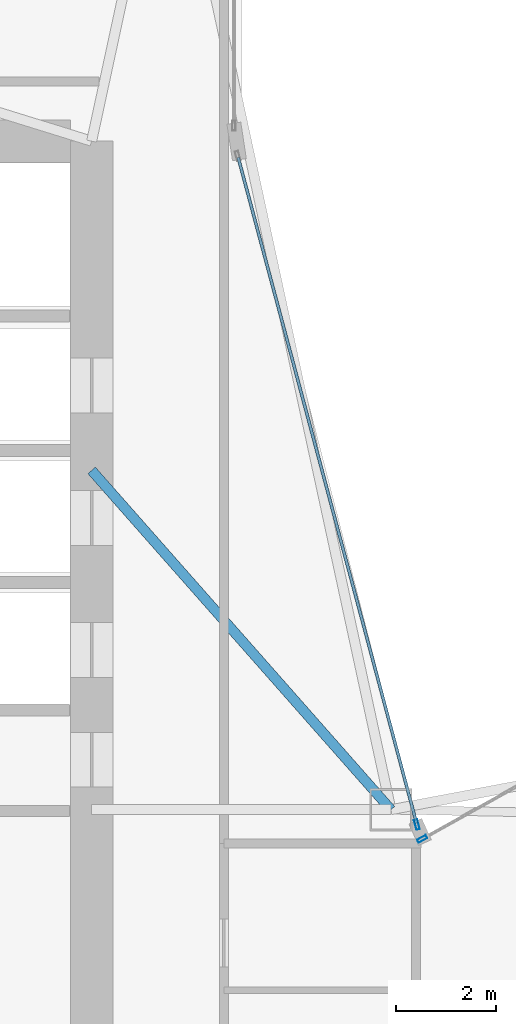
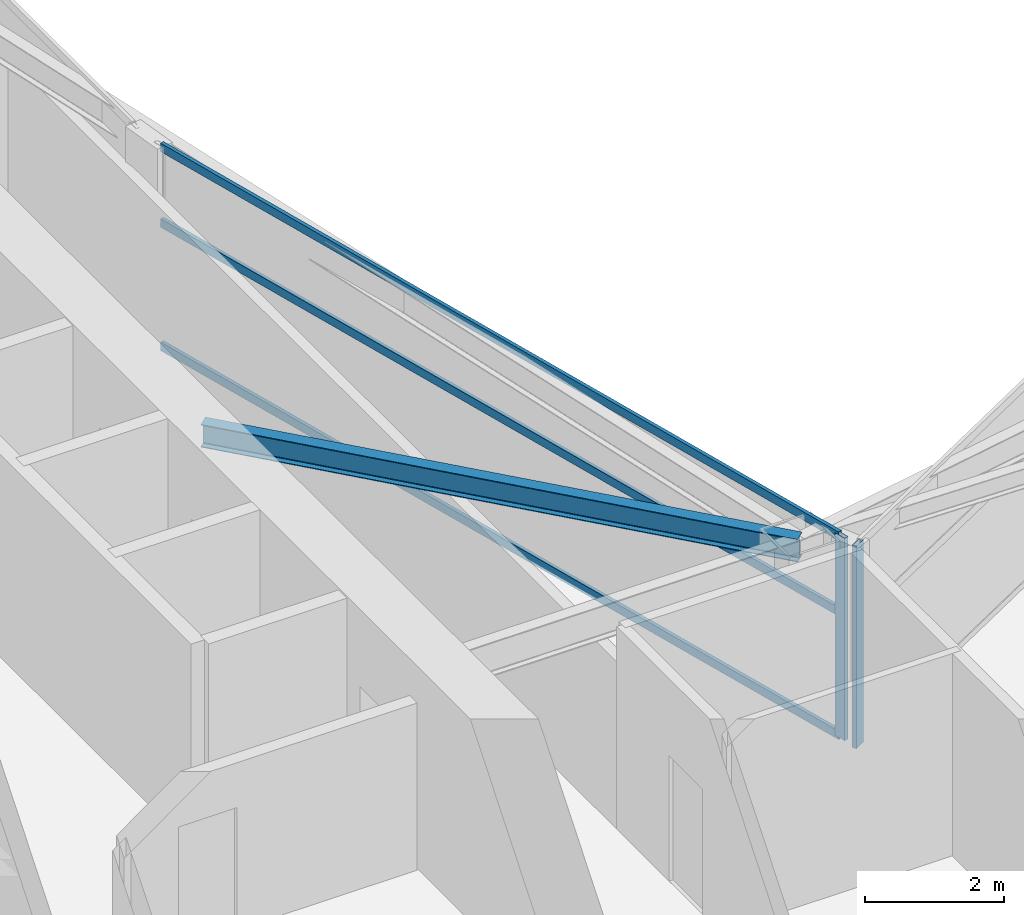
# One storey, part 10 of 29: 5 members, 1 beam, 2 elements without a shape of their own.
"""IFC4 building model written with IfcOpenShell, lengths in metres."""

from ifc_helpers import new_model, si_unit, direction, frame, origin, origin_2d, place, context, subcontext, project, spatial, hollow_rectangle, i_section, extrude, material, layer, layer_set, material_profile, profile_set, type_object, element, aggregate, save


model = new_model("IFC4")

# Units and contexts
model_context = context("Model", 3, precision=1e-05, world=origin(), true_north=direction((0.0, 1.0)))
body_context = subcontext(model_context, "Body", "Model", "MODEL_VIEW")
ifc_project = project(units=[si_unit("LENGTHUNIT", "METRE"), si_unit("AREAUNIT", "SQUARE_METRE"), si_unit("VOLUMEUNIT", "CUBIC_METRE"), si_unit("PLANEANGLEUNIT", "RADIAN"), si_unit("MASSUNIT", "GRAM", prefix="KILO")], contexts=[model_context])

# Site, building, storey
site_placement = place(None, origin())
site = spatial("IfcSite", under=ifc_project, at=site_placement, CompositionType="ELEMENT")
building_placement = place(site_placement, origin())
building = spatial("IfcBuilding", under=site, at=building_placement, Name="Calvorn Quay Hotel", CompositionType="ELEMENT")
storey_placement = place(building_placement, frame((0.0, 0.0, 163.699951171875)))
storey = spatial("IfcBuildingStorey", under=building, at=storey_placement, Name="L40", CompositionType="ELEMENT", Elevation=163.699951171875)

# Beam
ifc_material_1 = material(Name="Steel Q355B", Category="steel")
ifc_material_profile_1 = material_profile(ifc_material_1, i_section(OverallWidth=0.199951171875, OverallDepth=0.39990234375, WebThickness=0.008056640625, FlangeThickness=0.012939453125, FilletRadius=0.01611328125, at=origin_2d()), Name="HN400x200x8x13")
ifc_profile_set_1 = profile_set([ifc_material_profile_1], Name="Steel Q355B")
beam_type = type_object("IfcBeamType", Name="BM-JOIST-TYP", PredefinedType="JOIST", material=ifc_profile_set_1)
beam_placement = place(storey_placement, frame((15.0, 31.800048828125, 3.340087890625), z_axis=(0.661618965899, -0.749840212287, 0.0), x_axis=(0.749840212287, 0.661618965899, 0.0)))
element("IfcBeam", 1, at=beam_placement, inside=storey, type_object=beam_type, Name="Beam BJ-L40-C1", PredefinedType="JOIST", context=body_context, shape_type="SweptSolid", body=[
    extrude(i_section(OverallWidth=0.199951171875, OverallDepth=0.39990234375, WebThickness=0.008056640625, FlangeThickness=0.012939453125, FilletRadius=0.01611328125, at=origin_2d()), origin(), (0.0, 0.0, 1.0), 9.068603515625),
])

# Curtain wall, member
ifc_material_2 = material(Name="Pale Anodised Aluminium and Low-E Glass", Category="aluminium")
ifc_layer = layer(ifc_material_2, 0.219970703125)
ifc_layer_set = layer_set([ifc_layer], Name="CW-SYS-Z2")
curtain_wall_type = type_object("IfcCurtainWallType", Name="CW-SYS-Z2", PredefinedType="NOTDEFINED", material=ifc_layer_set)
curtain_wall_1_placement = place(storey_placement, origin())
curtain_wall_1 = element("IfcCurtainWall", 2, at=curtain_wall_1_placement, inside=storey, type_object=curtain_wall_type, Name="Inner Court Curtain Wall L40-NE1", PredefinedType="NOTDEFINED")
ifc_material_3 = material(Name="Pale Anodised Aluminium 6063-T6", Category="aluminium")
ifc_material_profile_2 = material_profile(ifc_material_3, hollow_rectangle(XDim=0.070068359375, YDim=0.199951171875, WallThickness=0.00390625, at=origin_2d()), Name="ALU-M200x70x4")
ifc_profile_set_2 = profile_set([ifc_material_profile_2], Name="Pale Anodised Aluminium 6063-T6")
member_type_1 = type_object("IfcMemberType", Name="CW-SYS-Z2-MUL", PredefinedType="MULLION", material=ifc_profile_set_2)
member_1_placement = place(storey_placement, frame((21.626220703125, 24.41455078125, 0.0), z_axis=(0.0, 0.0, 1.0), x_axis=(0.486858256224, -0.873480989116, 0.0)))
member_1 = element("IfcMember", 3, at=member_1_placement, type_object=member_type_1, Name="CW-L40-NE1 mullion 4", PredefinedType="MULLION", context=body_context, shape_type="SweptSolid", body=[
    extrude(hollow_rectangle(XDim=0.070068359375, YDim=0.199951171875, WallThickness=0.00390625, at=origin_2d()), origin(), (0.0, 0.0, 1.0), 3.56005859375),
])
aggregate(curtain_wall_1, [member_1])

# Curtain wall, members
curtain_wall_2_placement = place(storey_placement, origin())
curtain_wall_2 = element("IfcCurtainWall", 4, at=curtain_wall_2_placement, inside=storey, type_object=curtain_wall_type, Name="Inner Court Curtain Wall L40-IC1", PredefinedType="NOTDEFINED")
member_2_placement = place(storey_placement, frame((21.520263671875, 24.698974609375, 0.0), z_axis=(0.0, 0.0, 1.0), x_axis=(-0.96593652056, -0.25877913024, 0.0)))
member_2 = element("IfcMember", 5, at=member_2_placement, type_object=member_type_1, Name="CW-L40-IC1 mullion 1", PredefinedType="MULLION", context=body_context, shape_type="SweptSolid", body=[
    extrude(hollow_rectangle(XDim=0.070068359375, YDim=0.199951171875, WallThickness=0.00390625, at=origin_2d()), origin(), (0.0, 0.0, 1.0), 3.56005859375),
])
ifc_material_4 = material(Name="Pale Anodised Aluminium 6063-T6", Category="aluminium")
ifc_material_profile_3 = material_profile(ifc_material_4, hollow_rectangle(XDim=0.06005859375, YDim=0.14990234375, WallThickness=0.00341796875, at=origin_2d()), Name="ALU-T150x60x3.5")
ifc_profile_set_3 = profile_set([ifc_material_profile_3], Name="Pale Anodised Aluminium 6063-T6")
member_type_2 = type_object("IfcMemberType", Name="CW-SYS-Z2-TRN", PredefinedType="USERDEFINED", material=ifc_profile_set_3)
member_3_placement = place(storey_placement, frame((21.512451171875, 24.72802734375, 0.030029296875), z_axis=(-0.258781136883, 0.965935982969, 0.0), x_axis=(-0.965935982969, -0.258781136883, 0.0)))
member_3 = element("IfcMember", 6, at=member_3_placement, type_object=member_type_2, Name="CW-L40-IC1 transom 1.1", ObjectType="TRANSOM", PredefinedType="USERDEFINED", context=body_context, shape_type="SweptSolid", body=[
    extrude(hollow_rectangle(XDim=0.06005859375, YDim=0.14990234375, WallThickness=0.00341796875, at=origin_2d()), origin(), (0.0, 0.0, 1.0), 13.814453125),
])
member_4_placement = place(storey_placement, frame((21.512451171875, 24.72802734375, 2.199951171875), z_axis=(-0.258781136883, 0.965935982969, 0.0), x_axis=(-0.965935982969, -0.258781136883, 0.0)))
member_4 = element("IfcMember", 7, at=member_4_placement, type_object=member_type_2, Name="CW-L40-IC1 transom 1.2", ObjectType="TRANSOM", PredefinedType="USERDEFINED", context=body_context, shape_type="SweptSolid", body=[
    extrude(hollow_rectangle(XDim=0.06005859375, YDim=0.14990234375, WallThickness=0.00341796875, at=origin_2d()), origin(), (0.0, 0.0, 1.0), 13.814453125),
])
member_5_placement = place(storey_placement, frame((21.512451171875, 24.72802734375, 3.530029296875), z_axis=(-0.258781136883, 0.965935982969, 0.0), x_axis=(-0.965935982969, -0.258781136883, 0.0)))
member_5 = element("IfcMember", 8, at=member_5_placement, type_object=member_type_2, Name="CW-L40-IC1 transom 1.3", ObjectType="TRANSOM", PredefinedType="USERDEFINED", context=body_context, shape_type="SweptSolid", body=[
    extrude(hollow_rectangle(XDim=0.06005859375, YDim=0.14990234375, WallThickness=0.00341796875, at=origin_2d()), origin(), (0.0, 0.0, 1.0), 13.814453125),
])
aggregate(curtain_wall_2, [member_2, member_3, member_4, member_5])

save(model, "model.ifc")
